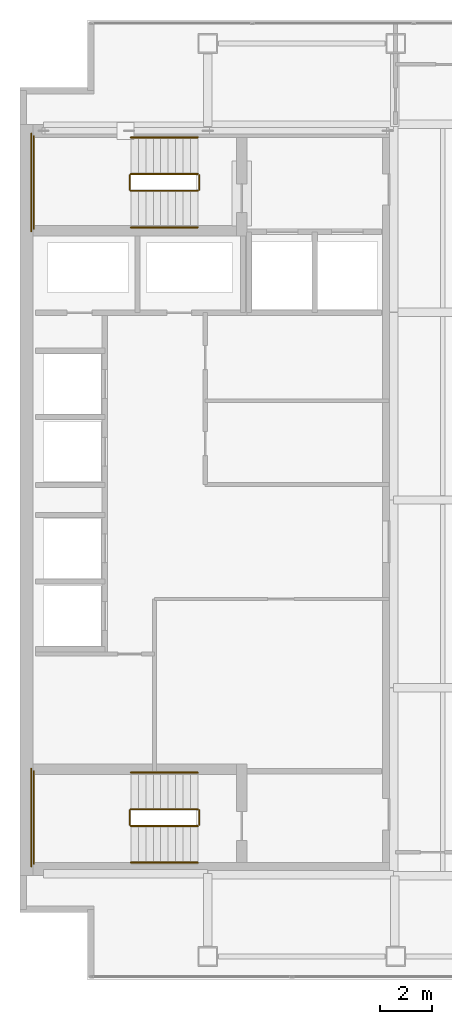
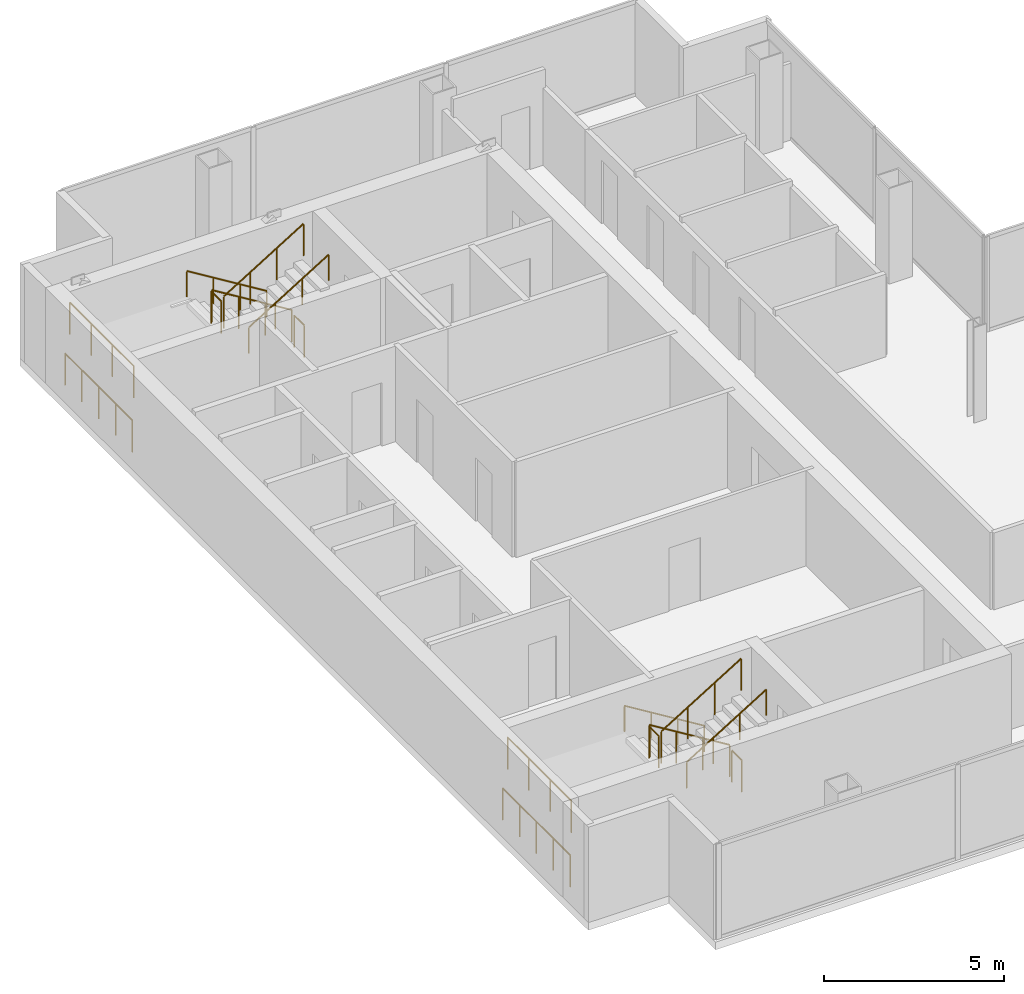
# One storey, part 23 of 23: 16 railings.
"""IFC4 building model written with IfcOpenShell, lengths in metres."""

from ifc_helpers import new_model, si_unit, direction, frame, origin, origin_2d, place, context, subcontext, project, spatial, circle, extrude, material, type_object, element, save


model = new_model("IFC4")

# Units and contexts
model_context = context("Model", 3, precision=1e-05, world=origin(), true_north=direction((0.0, 1.0)))
body_context = subcontext(model_context, "Body", "Model", "MODEL_VIEW")
ifc_project = project(units=[si_unit("LENGTHUNIT", "METRE"), si_unit("AREAUNIT", "SQUARE_METRE"), si_unit("VOLUMEUNIT", "CUBIC_METRE"), si_unit("PLANEANGLEUNIT", "RADIAN"), si_unit("MASSUNIT", "GRAM", prefix="KILO")], contexts=[model_context])

# Site, building, storey
site_placement = place(None, origin())
site = spatial("IfcSite", under=ifc_project, at=site_placement, CompositionType="ELEMENT")
building_placement = place(site_placement, origin())
building = spatial("IfcBuilding", under=site, at=building_placement, Name="Cobrela Telecom Tower", CompositionType="ELEMENT")
storey_placement = place(building_placement, frame((0.0, 0.0, 201.25)))
storey = spatial("IfcBuildingStorey", under=building, at=storey_placement, Name="L51", CompositionType="ELEMENT", Elevation=201.25)

# Railings
ifc_material = material(Name="Steel ASTM A36", Category="steel")
railing_type_1 = type_object("IfcRailingType", Name="RAIL-GUARD-1100", PredefinedType="GUARDRAIL", material=ifc_material)
railing_1_placement = place(storey_placement, frame((6.820068359375, 34.10009765625, 0.175048828125)))
element("IfcRailing", 1, at=railing_1_placement, inside=storey, type_object=railing_type_1, Name="L51 ST1 stair guard 1", PredefinedType="GUARDRAIL", context=body_context, shape_type="SweptSolid", body=[
    extrude(circle(Radius=0.02392578125, at=origin_2d()), frame((0.0, 0.0, 1.076171875), z_axis=(-0.852195335862, 0.0, 0.523223766217), x_axis=(0.0, -1.0, 0.0)), (0.0, 0.0, 1.0), 3.010009765625),
    extrude(circle(Radius=0.02099609375, at=origin_2d()), origin(), (0.0, 0.0, 1.0), 1.052001953125),
    extrude(circle(Radius=0.02099609375, at=origin_2d()), frame((-0.85498046875, 0.0, 0.52490234375)), (0.0, 0.0, 1.0), 1.052001953125),
    extrude(circle(Radius=0.02099609375, at=origin_2d()), frame((-1.710205078125, 0.0, 1.050048828125)), (0.0, 0.0, 1.0), 1.052001953125),
    extrude(circle(Radius=0.02099609375, at=origin_2d()), frame((-2.565185546875, 0.0, 1.574951171875)), (0.0, 0.0, 1.0), 1.052001953125),
])
railing_2_placement = place(storey_placement, frame((4.205078125, 34.050048828125, 1.75)))
element("IfcRailing", 2, at=railing_2_placement, inside=storey, type_object=railing_type_1, Name="L51 ST1 stair guard 2", PredefinedType="GUARDRAIL", context=body_context, shape_type="SweptSolid", body=[
    extrude(circle(Radius=0.02392578125, at=origin_2d()), frame((0.0, 0.0, 1.076171875), z_axis=(0.0, -1.0, 0.0), x_axis=(1.0, 0.0, 0.0)), (0.0, 0.0, 1.0), 0.550048828125),
    extrude(circle(Radius=0.02099609375, at=origin_2d()), origin(), (0.0, 0.0, 1.0), 1.052001953125),
    extrude(circle(Radius=0.02099609375, at=origin_2d()), frame((0.0, -0.550048828125, 0.0)), (0.0, 0.0, 1.0), 1.052001953125),
])
railing_3_placement = place(storey_placement, frame((0.530029296875, 35.550048828125, 1.75)))
element("IfcRailing", 3, at=railing_3_placement, inside=storey, type_object=railing_type_1, Name="L51 ST1 stair guard 3", PredefinedType="GUARDRAIL", context=body_context, shape_type="SweptSolid", body=[
    extrude(circle(Radius=0.02392578125, at=origin_2d()), frame((0.0, 0.0, 1.076171875), z_axis=(0.0, -1.0, 0.0), x_axis=(1.0, 0.0, 0.0)), (0.0, 0.0, 1.0), 3.550048828125),
    extrude(circle(Radius=0.02099609375, at=origin_2d()), origin(), (0.0, 0.0, 1.0), 1.052001953125),
    extrude(circle(Radius=0.02099609375, at=origin_2d()), frame((0.0, -1.183349609375, 0.0)), (0.0, 0.0, 1.0), 1.052001953125),
    extrude(circle(Radius=0.02099609375, at=origin_2d()), frame((0.0, -2.36669921875, 0.0)), (0.0, 0.0, 1.0), 1.052001953125),
    extrude(circle(Radius=0.02099609375, at=origin_2d()), frame((0.0, -3.550048828125, 0.0)), (0.0, 0.0, 1.0), 1.052001953125),
])
railing_4_placement = place(storey_placement, frame((4.2548828125, 33.449951171875, 1.925048828125)))
element("IfcRailing", 4, at=railing_4_placement, inside=storey, type_object=railing_type_1, Name="L51 ST1 stair guard 4", PredefinedType="GUARDRAIL", context=body_context, shape_type="SweptSolid", body=[
    extrude(circle(Radius=0.02392578125, at=origin_2d()), frame((0.0, 0.0, 1.076171875), z_axis=(0.852195335862, 0.0, 0.523223766217), x_axis=(0.0, 1.0, 0.0)), (0.0, 0.0, 1.0), 3.010009765625),
    extrude(circle(Radius=0.02099609375, at=origin_2d()), origin(), (0.0, 0.0, 1.0), 1.052001953125),
    extrude(circle(Radius=0.02099609375, at=origin_2d()), frame((0.85498046875, 0.0, 0.52490234375)), (0.0, 0.0, 1.0), 1.052001953125),
    extrude(circle(Radius=0.02099609375, at=origin_2d()), frame((1.710205078125, 0.0, 1.050048828125)), (0.0, 0.0, 1.0), 1.052001953125),
    extrude(circle(Radius=0.02099609375, at=origin_2d()), frame((2.565185546875, 0.0, 1.574951171875)), (0.0, 0.0, 1.0), 1.052001953125),
])
railing_5_placement = place(storey_placement, frame((6.8701171875, 34.050048828125, 0.0)))
element("IfcRailing", 5, at=railing_5_placement, inside=storey, type_object=railing_type_1, Name="L51 ST1 stair guard 5", PredefinedType="GUARDRAIL", context=body_context, shape_type="SweptSolid", body=[
    extrude(circle(Radius=0.02392578125, at=origin_2d()), frame((0.0, 0.0, 1.076171875), z_axis=(0.0, -1.0, 0.0), x_axis=(1.0, 0.0, 0.0)), (0.0, 0.0, 1.0), 0.550048828125),
    extrude(circle(Radius=0.02099609375, at=origin_2d()), origin(), (0.0, 0.0, 1.0), 1.052001953125),
    extrude(circle(Radius=0.02099609375, at=origin_2d()), frame((0.0, -0.550048828125, 0.0)), (0.0, 0.0, 1.0), 1.052001953125),
])
railing_6_placement = place(storey_placement, frame((0.429931640625, 35.64990234375, 0.0)))
element("IfcRailing", 6, at=railing_6_placement, inside=storey, type_object=railing_type_1, Name="L51 ST1 stair guard 6", PredefinedType="GUARDRAIL", context=body_context, shape_type="SweptSolid", body=[
    extrude(circle(Radius=0.02392578125, at=origin_2d()), frame((0.0, 0.0, 1.076171875), z_axis=(0.0, -1.0, 0.0), x_axis=(1.0, 0.0, 0.0)), (0.0, 0.0, 1.0), 3.75),
    extrude(circle(Radius=0.02099609375, at=origin_2d()), origin(), (0.0, 0.0, 1.0), 1.052001953125),
    extrude(circle(Radius=0.02099609375, at=origin_2d()), frame((0.0, -0.9375, 0.0)), (0.0, 0.0, 1.0), 1.052001953125),
    extrude(circle(Radius=0.02099609375, at=origin_2d()), frame((0.0, -1.875, 0.0)), (0.0, 0.0, 1.0), 1.052001953125),
    extrude(circle(Radius=0.02099609375, at=origin_2d()), frame((0.0, -2.8125, 0.0)), (0.0, 0.0, 1.0), 1.052001953125),
    extrude(circle(Radius=0.02099609375, at=origin_2d()), frame((0.0, -3.75, 0.0)), (0.0, 0.0, 1.0), 1.052001953125),
])
railing_7_placement = place(storey_placement, frame((6.820068359375, 9.75, 0.175048828125)))
element("IfcRailing", 7, at=railing_7_placement, inside=storey, type_object=railing_type_1, Name="L51 ST2 stair guard 1", PredefinedType="GUARDRAIL", context=body_context, shape_type="SweptSolid", body=[
    extrude(circle(Radius=0.02392578125, at=origin_2d()), frame((0.0, 0.0, 1.076171875), z_axis=(-0.852195335862, 0.0, 0.523223766217), x_axis=(0.0, -1.0, 0.0)), (0.0, 0.0, 1.0), 3.010009765625),
    extrude(circle(Radius=0.02099609375, at=origin_2d()), origin(), (0.0, 0.0, 1.0), 1.052001953125),
    extrude(circle(Radius=0.02099609375, at=origin_2d()), frame((-0.85498046875, 0.0, 0.52490234375)), (0.0, 0.0, 1.0), 1.052001953125),
    extrude(circle(Radius=0.02099609375, at=origin_2d()), frame((-1.710205078125, 0.0, 1.050048828125)), (0.0, 0.0, 1.0), 1.052001953125),
    extrude(circle(Radius=0.02099609375, at=origin_2d()), frame((-2.565185546875, 0.0, 1.574951171875)), (0.0, 0.0, 1.0), 1.052001953125),
])
railing_8_placement = place(storey_placement, frame((4.205078125, 9.699951171875, 1.75)))
element("IfcRailing", 8, at=railing_8_placement, inside=storey, type_object=railing_type_1, Name="L51 ST2 stair guard 2", PredefinedType="GUARDRAIL", context=body_context, shape_type="SweptSolid", body=[
    extrude(circle(Radius=0.02392578125, at=origin_2d()), frame((0.0, 0.0, 1.076171875), z_axis=(0.0, -1.0, 0.0), x_axis=(1.0, 0.0, 0.0)), (0.0, 0.0, 1.0), 0.550048828125),
    extrude(circle(Radius=0.02099609375, at=origin_2d()), origin(), (0.0, 0.0, 1.0), 1.052001953125),
    extrude(circle(Radius=0.02099609375, at=origin_2d()), frame((0.0, -0.550048828125, 0.0)), (0.0, 0.0, 1.0), 1.052001953125),
])
railing_9_placement = place(storey_placement, frame((0.530029296875, 11.199951171875, 1.75)))
element("IfcRailing", 9, at=railing_9_placement, inside=storey, type_object=railing_type_1, Name="L51 ST2 stair guard 3", PredefinedType="GUARDRAIL", context=body_context, shape_type="SweptSolid", body=[
    extrude(circle(Radius=0.02392578125, at=origin_2d()), frame((0.0, 0.0, 1.076171875), z_axis=(0.0, -1.0, 0.0), x_axis=(1.0, 0.0, 0.0)), (0.0, 0.0, 1.0), 3.550048828125),
    extrude(circle(Radius=0.02099609375, at=origin_2d()), origin(), (0.0, 0.0, 1.0), 1.052001953125),
    extrude(circle(Radius=0.02099609375, at=origin_2d()), frame((0.0, -1.183349609375, 0.0)), (0.0, 0.0, 1.0), 1.052001953125),
    extrude(circle(Radius=0.02099609375, at=origin_2d()), frame((0.0, -2.36669921875, 0.0)), (0.0, 0.0, 1.0), 1.052001953125),
    extrude(circle(Radius=0.02099609375, at=origin_2d()), frame((0.0, -3.550048828125, 0.0)), (0.0, 0.0, 1.0), 1.052001953125),
])
railing_10_placement = place(storey_placement, frame((4.2548828125, 9.10009765625, 1.925048828125)))
element("IfcRailing", 10, at=railing_10_placement, inside=storey, type_object=railing_type_1, Name="L51 ST2 stair guard 4", PredefinedType="GUARDRAIL", context=body_context, shape_type="SweptSolid", body=[
    extrude(circle(Radius=0.02392578125, at=origin_2d()), frame((0.0, 0.0, 1.076171875), z_axis=(0.852195335862, 0.0, 0.523223766217), x_axis=(0.0, 1.0, 0.0)), (0.0, 0.0, 1.0), 3.010009765625),
    extrude(circle(Radius=0.02099609375, at=origin_2d()), origin(), (0.0, 0.0, 1.0), 1.052001953125),
    extrude(circle(Radius=0.02099609375, at=origin_2d()), frame((0.85498046875, 0.0, 0.52490234375)), (0.0, 0.0, 1.0), 1.052001953125),
    extrude(circle(Radius=0.02099609375, at=origin_2d()), frame((1.710205078125, 0.0, 1.050048828125)), (0.0, 0.0, 1.0), 1.052001953125),
    extrude(circle(Radius=0.02099609375, at=origin_2d()), frame((2.565185546875, 0.0, 1.574951171875)), (0.0, 0.0, 1.0), 1.052001953125),
])
railing_11_placement = place(storey_placement, frame((6.8701171875, 9.699951171875, 0.0)))
element("IfcRailing", 11, at=railing_11_placement, inside=storey, type_object=railing_type_1, Name="L51 ST2 stair guard 5", PredefinedType="GUARDRAIL", context=body_context, shape_type="SweptSolid", body=[
    extrude(circle(Radius=0.02392578125, at=origin_2d()), frame((0.0, 0.0, 1.076171875), z_axis=(0.0, -1.0, 0.0), x_axis=(1.0, 0.0, 0.0)), (0.0, 0.0, 1.0), 0.550048828125),
    extrude(circle(Radius=0.02099609375, at=origin_2d()), origin(), (0.0, 0.0, 1.0), 1.052001953125),
    extrude(circle(Radius=0.02099609375, at=origin_2d()), frame((0.0, -0.550048828125, 0.0)), (0.0, 0.0, 1.0), 1.052001953125),
])
railing_12_placement = place(storey_placement, frame((0.429931640625, 11.300048828125, 0.0)))
element("IfcRailing", 12, at=railing_12_placement, inside=storey, type_object=railing_type_1, Name="L51 ST2 stair guard 6", PredefinedType="GUARDRAIL", context=body_context, shape_type="SweptSolid", body=[
    extrude(circle(Radius=0.02392578125, at=origin_2d()), frame((0.0, 0.0, 1.076171875), z_axis=(0.0, -1.0, 0.0), x_axis=(1.0, 0.0, 0.0)), (0.0, 0.0, 1.0), 3.75),
    extrude(circle(Radius=0.02099609375, at=origin_2d()), origin(), (0.0, 0.0, 1.0), 1.052001953125),
    extrude(circle(Radius=0.02099609375, at=origin_2d()), frame((0.0, -0.9375, 0.0)), (0.0, 0.0, 1.0), 1.052001953125),
    extrude(circle(Radius=0.02099609375, at=origin_2d()), frame((0.0, -1.875, 0.0)), (0.0, 0.0, 1.0), 1.052001953125),
    extrude(circle(Radius=0.02099609375, at=origin_2d()), frame((0.0, -2.8125, 0.0)), (0.0, 0.0, 1.0), 1.052001953125),
    extrude(circle(Radius=0.02099609375, at=origin_2d()), frame((0.0, -3.75, 0.0)), (0.0, 0.0, 1.0), 1.052001953125),
])
railing_type_2 = type_object("IfcRailingType", Name="RAIL-HAND-920", PredefinedType="HANDRAIL", material=ifc_material)
railing_13_placement = place(storey_placement, frame((6.820068359375, 35.5, 0.175048828125)))
element("IfcRailing", 13, at=railing_13_placement, inside=storey, type_object=railing_type_2, Name="L51 ST1 stair handrail 1", PredefinedType="HANDRAIL", context=body_context, shape_type="SweptSolid", body=[
    extrude(circle(Radius=0.02392578125, at=origin_2d()), frame((0.0, 0.0, 0.8759765625), z_axis=(-0.852195335862, 0.0, 0.523223766217), x_axis=(0.0, -1.0, 0.0)), (0.0, 0.0, 1.0), 3.010009765625),
    extrude(circle(Radius=0.02099609375, at=origin_2d()), origin(), (0.0, 0.0, 1.0), 0.851806640625),
    extrude(circle(Radius=0.02099609375, at=origin_2d()), frame((-0.85498046875, 0.0, 0.52490234375)), (0.0, 0.0, 1.0), 0.851806640625),
    extrude(circle(Radius=0.02099609375, at=origin_2d()), frame((-1.710205078125, 0.0, 1.050048828125)), (0.0, 0.0, 1.0), 0.851806640625),
    extrude(circle(Radius=0.02099609375, at=origin_2d()), frame((-2.565185546875, 0.0, 1.574951171875)), (0.0, 0.0, 1.0), 0.851806640625),
])
railing_14_placement = place(storey_placement, frame((4.2548828125, 32.050048828125, 1.925048828125)))
element("IfcRailing", 14, at=railing_14_placement, inside=storey, type_object=railing_type_2, Name="L51 ST1 stair handrail 2", PredefinedType="HANDRAIL", context=body_context, shape_type="SweptSolid", body=[
    extrude(circle(Radius=0.02392578125, at=origin_2d()), frame((0.0, 0.0, 0.8759765625), z_axis=(0.852195335862, 0.0, 0.523223766217), x_axis=(0.0, 1.0, 0.0)), (0.0, 0.0, 1.0), 3.010009765625),
    extrude(circle(Radius=0.02099609375, at=origin_2d()), origin(), (0.0, 0.0, 1.0), 0.851806640625),
    extrude(circle(Radius=0.02099609375, at=origin_2d()), frame((0.85498046875, 0.0, 0.52490234375)), (0.0, 0.0, 1.0), 0.851806640625),
    extrude(circle(Radius=0.02099609375, at=origin_2d()), frame((1.710205078125, 0.0, 1.050048828125)), (0.0, 0.0, 1.0), 0.851806640625),
    extrude(circle(Radius=0.02099609375, at=origin_2d()), frame((2.565185546875, 0.0, 1.574951171875)), (0.0, 0.0, 1.0), 0.851806640625),
])
railing_15_placement = place(storey_placement, frame((6.820068359375, 11.14990234375, 0.175048828125)))
element("IfcRailing", 15, at=railing_15_placement, inside=storey, type_object=railing_type_2, Name="L51 ST2 stair handrail 1", PredefinedType="HANDRAIL", context=body_context, shape_type="SweptSolid", body=[
    extrude(circle(Radius=0.02392578125, at=origin_2d()), frame((0.0, 0.0, 0.8759765625), z_axis=(-0.852195335862, 0.0, 0.523223766217), x_axis=(0.0, -1.0, 0.0)), (0.0, 0.0, 1.0), 3.010009765625),
    extrude(circle(Radius=0.02099609375, at=origin_2d()), origin(), (0.0, 0.0, 1.0), 0.851806640625),
    extrude(circle(Radius=0.02099609375, at=origin_2d()), frame((-0.85498046875, 0.0, 0.52490234375)), (0.0, 0.0, 1.0), 0.851806640625),
    extrude(circle(Radius=0.02099609375, at=origin_2d()), frame((-1.710205078125, 0.0, 1.050048828125)), (0.0, 0.0, 1.0), 0.851806640625),
    extrude(circle(Radius=0.02099609375, at=origin_2d()), frame((-2.565185546875, 0.0, 1.574951171875)), (0.0, 0.0, 1.0), 0.851806640625),
])
railing_16_placement = place(storey_placement, frame((4.2548828125, 7.699951171875, 1.925048828125)))
element("IfcRailing", 16, at=railing_16_placement, inside=storey, type_object=railing_type_2, Name="L51 ST2 stair handrail 2", PredefinedType="HANDRAIL", context=body_context, shape_type="SweptSolid", body=[
    extrude(circle(Radius=0.02392578125, at=origin_2d()), frame((0.0, 0.0, 0.8759765625), z_axis=(0.852195335862, 0.0, 0.523223766217), x_axis=(0.0, 1.0, 0.0)), (0.0, 0.0, 1.0), 3.010009765625),
    extrude(circle(Radius=0.02099609375, at=origin_2d()), origin(), (0.0, 0.0, 1.0), 0.851806640625),
    extrude(circle(Radius=0.02099609375, at=origin_2d()), frame((0.85498046875, 0.0, 0.52490234375)), (0.0, 0.0, 1.0), 0.851806640625),
    extrude(circle(Radius=0.02099609375, at=origin_2d()), frame((1.710205078125, 0.0, 1.050048828125)), (0.0, 0.0, 1.0), 0.851806640625),
    extrude(circle(Radius=0.02099609375, at=origin_2d()), frame((2.565185546875, 0.0, 1.574951171875)), (0.0, 0.0, 1.0), 0.851806640625),
])

save(model, "model.ifc")
